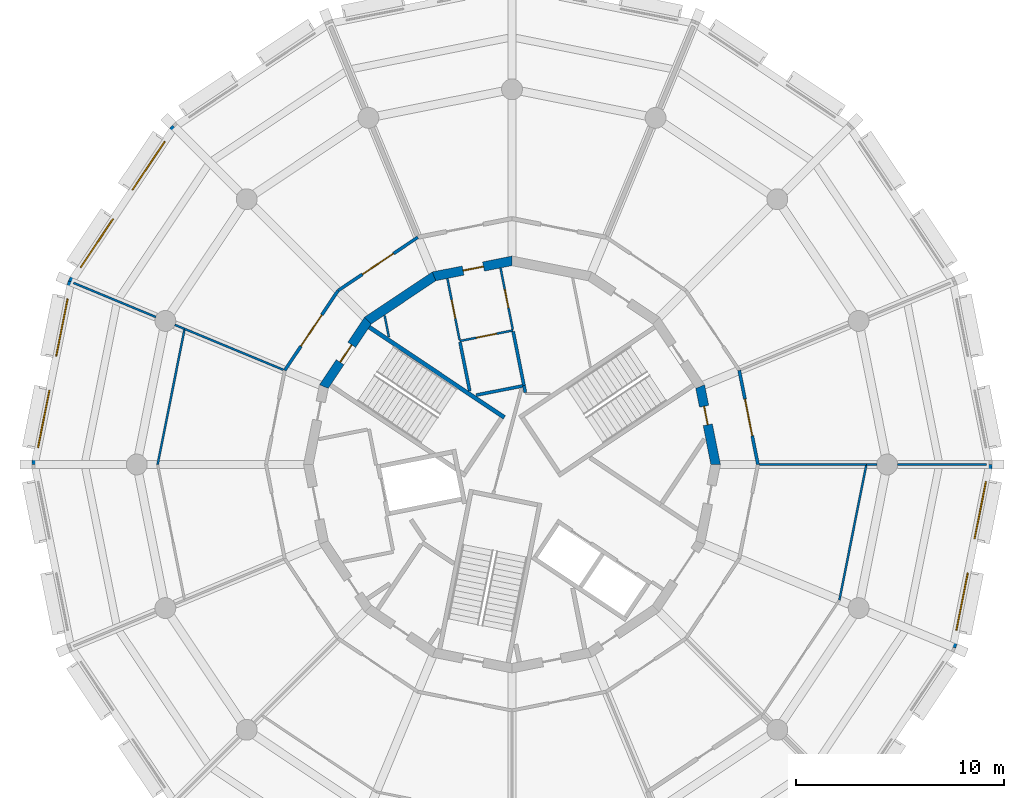
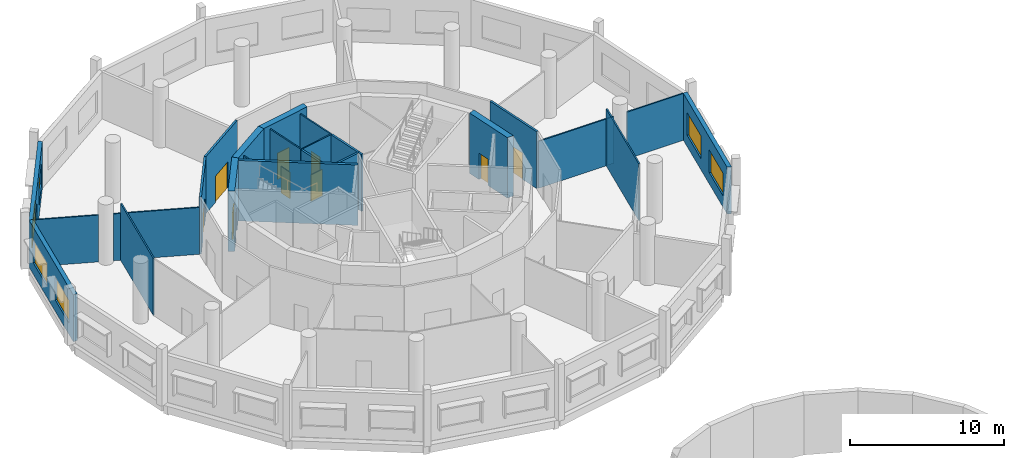
# One storey, part 5 of 8: 27 walls, 9 doors, 6 windows, 15 openings.
"""IFC4 building model written with IfcOpenShell, lengths in metres."""

from ifc_helpers import new_model, si_unit, direction, frame, frame_2d, origin, place, context, subcontext, project, spatial, polyline, rectangle, outline, extrude, material, layer, layer_set, type_object, element, fill, save


model = new_model("IFC4")

# Units and contexts
model_context = context("Model", 3, precision=1e-05, world=origin(), true_north=direction((0.0, 1.0)))
body_context = subcontext(model_context, "Body", "Model", "MODEL_VIEW")
ifc_project = project(units=[si_unit("LENGTHUNIT", "METRE"), si_unit("AREAUNIT", "SQUARE_METRE"), si_unit("VOLUMEUNIT", "CUBIC_METRE"), si_unit("PLANEANGLEUNIT", "RADIAN"), si_unit("MASSUNIT", "GRAM", prefix="KILO")], contexts=[model_context])

# Site, building, storey
site_placement = place(None, origin())
site = spatial("IfcSite", under=ifc_project, at=site_placement, CompositionType="ELEMENT")
building_placement = place(site_placement, origin())
building = spatial("IfcBuilding", under=site, at=building_placement, Name="Ceibo Conservatory and Research Tower", CompositionType="ELEMENT")
storey_placement = place(building_placement, frame((0.0, 0.0, 10.800048828125)))
storey = spatial("IfcBuildingStorey", under=building, at=storey_placement, Name="L02", CompositionType="ELEMENT", Elevation=10.800048828125)

# Wall, opening, door
ifc_material_1 = material(Name="Plasterboard on metal studs")
ifc_layer_1 = layer(ifc_material_1, 0.10009765625)
ifc_layer_set_1 = layer_set([ifc_layer_1], Name="Plasterboard on metal studs")
wall_type_1 = type_object("IfcWallType", Name="Core partition 100", PredefinedType="PARTITIONING", material=ifc_layer_set_1)
wall_1_placement = place(storey_placement, frame((48.0458984375, 126.4326171875, 0.0), z_axis=(0.0, 0.0, 1.0), x_axis=(-0.980778805994, -0.195122868248, 0.0)))
wall_1 = element("IfcWall", 1, at=wall_1_placement, inside=storey, type_object=wall_type_1, Name="Core partition 02.P008", PredefinedType="PARTITIONING", context=body_context, shape_type="SweptSolid", body=[
    extrude(rectangle(XDim=2.60009765625, YDim=0.10009765625, at=frame_2d((1.300048828125, 0.0))), origin(), (0.0, 0.0, 1.0), 4.52001953125),
])
opening_1_placement = place(wall_1_placement, frame((0.800048828125, 0.0, 0.0)))
opening_1 = element("IfcOpeningElement", 2, at=opening_1_placement, cuts=wall_1, Name="Opening C02-15", PredefinedType="OPENING", context=body_context, shape_type="SweptSolid", body=[
    extrude(rectangle(XDim=1.0, YDim=2.10009765625, at=frame_2d((0.5, 1.050048828125))), frame((0.0, 0.06005859375, 0.0), z_axis=(0.0, -1.0, 0.0), x_axis=(1.0, 0.0, 0.0)), (0.0, 0.0, 1.0), 0.1201171875),
])
ifc_material_2 = material(Name="Solid timber", Category="wood")
door_type_1 = type_object("IfcDoorType", Name="Door 1000x2100 (right hand)", OperationType="SINGLE_SWING_RIGHT", PredefinedType="DOOR", material=ifc_material_2)
door_1_placement = place(opening_1_placement, origin())
door_1 = element("IfcDoor", 3, at=door_1_placement, inside=storey, type_object=door_type_1, Name="Door Accessible WC 02.01", OperationType="SINGLE_SWING_RIGHT", OverallHeight=2.10009765625, OverallWidth=1.0, PredefinedType="DOOR", context=body_context, shape_type="SweptSolid", body=[
    extrude(rectangle(XDim=1.0, YDim=2.10009765625, at=frame_2d((0.5, 1.050048828125))), frame((0.0, 0.02490234375, 0.0), z_axis=(0.0, -1.0, 0.0), x_axis=(1.0, 0.0, 0.0)), (0.0, 0.0, 1.0), 0.050048828125),
])
fill(opening_1, door_1)

wall_2_placement = place(storey_placement, frame((45.486083984375, 125.974365234375, 0.0), z_axis=(0.0, 0.0, 1.0), x_axis=(-0.195054549846, 0.980792395252, 0.0)))
wall_2 = element("IfcWall", 4, at=wall_2_placement, inside=storey, type_object=wall_type_1, Name="Core partition 02.P009", PredefinedType="PARTITIONING", context=body_context, shape_type="SweptSolid", body=[
    extrude(rectangle(XDim=3.0078125, YDim=0.10009765625, at=frame_2d((1.50390625, 0.0))), origin(), (0.0, 0.0, 1.0), 4.52001953125),
])
opening_2_placement = place(wall_2_placement, frame((1.053955078125, 0.0, 0.0)))
opening_2 = element("IfcOpeningElement", 5, at=opening_2_placement, cuts=wall_2, Name="Opening C02-16", PredefinedType="OPENING", context=body_context, shape_type="SweptSolid", body=[
    extrude(rectangle(XDim=0.89990234375, YDim=2.10009765625, at=frame_2d((0.449951171875, 1.050048828125))), frame((0.0, 0.06005859375, 0.0), z_axis=(0.0, -1.0, 0.0), x_axis=(1.0, 0.0, 0.0)), (0.0, 0.0, 1.0), 0.1201171875),
])
door_type_2 = type_object("IfcDoorType", Name="Door 900x2100 (right hand)", OperationType="SINGLE_SWING_RIGHT", PredefinedType="DOOR", material=ifc_material_2)
door_2_placement = place(opening_2_placement, origin())
door_2 = element("IfcDoor", 6, at=door_2_placement, inside=storey, type_object=door_type_2, Name="Door Men WC 02.01", OperationType="SINGLE_SWING_RIGHT", OverallHeight=2.10009765625, OverallWidth=0.89990234375, PredefinedType="DOOR", context=body_context, shape_type="SweptSolid", body=[
    extrude(rectangle(XDim=0.89990234375, YDim=2.10009765625, at=frame_2d((0.449951171875, 1.050048828125))), frame((0.0, 0.02490234375, 0.0), z_axis=(0.0, -1.0, 0.0), x_axis=(1.0, 0.0, 0.0)), (0.0, 0.0, 1.0), 0.050048828125),
])
fill(opening_2, door_2)

wall_3_placement = place(storey_placement, frame((47.449462890625, 129.431640625, 0.0), z_axis=(0.0, 0.0, 1.0), x_axis=(0.195054549846, -0.980792395252, 0.0)))
wall_3 = element("IfcWall", 7, at=wall_3_placement, inside=storey, type_object=wall_type_1, Name="Core partition 02.P010", PredefinedType="PARTITIONING", context=body_context, shape_type="SweptSolid", body=[
    extrude(rectangle(XDim=3.0078125, YDim=0.10009765625, at=frame_2d((1.50390625, 0.0))), origin(), (0.0, 0.0, 1.0), 4.52001953125),
])
opening_3_placement = place(wall_3_placement, frame((1.053955078125, 0.0, 0.0)))
opening_3 = element("IfcOpeningElement", 8, at=opening_3_placement, cuts=wall_3, Name="Opening C02-17", PredefinedType="OPENING", context=body_context, shape_type="SweptSolid", body=[
    extrude(rectangle(XDim=0.89990234375, YDim=2.10009765625, at=frame_2d((0.449951171875, 1.050048828125))), frame((0.0, 0.06005859375, 0.0), z_axis=(0.0, -1.0, 0.0), x_axis=(1.0, 0.0, 0.0)), (0.0, 0.0, 1.0), 0.1201171875),
])
door_type_3 = type_object("IfcDoorType", Name="Door 900x2100 (left hand)", OperationType="SINGLE_SWING_LEFT", PredefinedType="DOOR", material=ifc_material_2)
door_3_placement = place(opening_3_placement, origin())
door_3 = element("IfcDoor", 9, at=door_3_placement, inside=storey, type_object=door_type_3, Name="Door Women WC 02.01", OperationType="SINGLE_SWING_LEFT", OverallHeight=2.10009765625, OverallWidth=0.89990234375, PredefinedType="DOOR", context=body_context, shape_type="SweptSolid", body=[
    extrude(rectangle(XDim=0.89990234375, YDim=2.10009765625, at=frame_2d((0.449951171875, 1.050048828125))), frame((0.0, 0.02490234375, 0.0), z_axis=(0.0, -1.0, 0.0), x_axis=(1.0, 0.0, 0.0)), (0.0, 0.0, 1.0), 0.050048828125),
])
fill(opening_3, door_3)

# Wall
wall_4_placement = place(storey_placement, frame((42.092529296875, 126.120361328125, 0.0), z_axis=(0.0, 0.0, 1.0), x_axis=(-0.195175461866, 0.980768341192, 0.0)))
element("IfcWall", 10, at=wall_4_placement, inside=storey, type_object=wall_type_1, Name="Core partition 02.P014", PredefinedType="PARTITIONING", context=body_context, shape_type="SweptSolid", body=[
    extrude(rectangle(XDim=1.04833984375, YDim=0.10009765625, at=frame_2d((0.524169921875, 0.0))), origin(), (0.0, 0.0, 1.0), 4.52001953125),
])

# Wall, opening, door
ifc_material_3 = material(Name="Concrete C40/50", Category="concrete")
ifc_layer_2 = layer(ifc_material_3, 0.449951171875)
ifc_layer_set_2 = layer_set([ifc_layer_2], Name="Concrete C40/50")
wall_type_2 = type_object("IfcWallType", Name="Core wall 450 C40", PredefinedType="SHEAR", material=ifc_layer_set_2)
wall_5_placement = place(storey_placement, frame((57.7705078125, 120.0, 0.0), z_axis=(0.0, 0.0, 1.0), x_axis=(-0.195069197673, 0.98078948206, 0.0)))
wall_5 = element("IfcWall", 11, at=wall_5_placement, inside=storey, type_object=wall_type_2, Name="Core wall L02 01", PredefinedType="SHEAR", context=body_context, shape_type="SweptSolid", body=[
    extrude(outline(polyline([(-0.044677734375, -0.22509765625), (3.85693359375, -0.22509765625), (3.767578125, 0.22509765625), (0.044677734375, 0.22509765625), (-0.044677734375, -0.22509765625)])), origin(), (0.0, 0.0, 1.0), 4.800048828125),
])
opening_4_placement = place(wall_5_placement, frame((1.944580078125, 0.0, 0.0)))
opening_4 = element("IfcOpeningElement", 12, at=opening_4_placement, cuts=wall_5, Name="Opening C02-04", PredefinedType="OPENING", context=body_context, shape_type="SweptSolid", body=[
    extrude(rectangle(XDim=0.89990234375, YDim=2.10009765625, at=frame_2d((0.449951171875, 1.050048828125))), frame((0.0, 0.23486328125, 0.0), z_axis=(0.0, -1.0, 0.0), x_axis=(1.0, 0.0, 0.0)), (0.0, 0.0, 1.0), 0.469970703125),
])
ifc_material_4 = material(Name="Galvanised sheet steel DX51D", Category="steel")
door_type_4 = type_object("IfcDoorType", Name="Riser door 900x2100 EI 60 (left hand)", OperationType="SINGLE_SWING_LEFT", PredefinedType="DOOR", material=ifc_material_4)
door_4_placement = place(opening_4_placement, origin())
door_4 = element("IfcDoor", 13, at=door_4_placement, inside=storey, type_object=door_type_4, Name="Store door 02", OperationType="SINGLE_SWING_LEFT", OverallHeight=2.10009765625, OverallWidth=0.89990234375, PredefinedType="DOOR", context=body_context, shape_type="SweptSolid", body=[
    extrude(rectangle(XDim=0.89990234375, YDim=2.10009765625, at=frame_2d((0.449951171875, 1.050048828125))), frame((0.0, 0.02490234375, 0.0), z_axis=(0.0, -1.0, 0.0), x_axis=(1.0, 0.0, 0.0)), (0.0, 0.0, 1.0), 0.050048828125),
])
fill(opening_4, door_4)

wall_6_placement = place(storey_placement, frame((48.0, 129.7705078125, 0.0), z_axis=(0.0, 0.0, 1.0), x_axis=(-0.98078948206, -0.195069197673, 0.0)))
wall_6 = element("IfcWall", 14, at=wall_6_placement, inside=storey, type_object=wall_type_2, Name="Core wall L02 05", PredefinedType="SHEAR", context=body_context, shape_type="SweptSolid", body=[
    extrude(outline(polyline([(-0.044677734375, -0.22509765625), (3.85693359375, -0.22509765625), (3.767578125, 0.22509765625), (0.044677734375, 0.22509765625), (-0.044677734375, -0.22509765625)])), origin(), (0.0, 0.0, 1.0), 4.800048828125),
])
opening_5_placement = place(wall_6_placement, frame((1.394775390625, 0.0, 0.0)))
opening_5 = element("IfcOpeningElement", 15, at=opening_5_placement, cuts=wall_6, Name="Opening C02-07", PredefinedType="OPENING", context=body_context, shape_type="SweptSolid", body=[
    extrude(rectangle(XDim=1.0, YDim=2.10009765625, at=frame_2d((0.5, 1.050048828125))), frame((0.0, 0.23486328125, 0.0), z_axis=(0.0, -1.0, 0.0), x_axis=(1.0, 0.0, 0.0)), (0.0, 0.0, 1.0), 0.469970703125),
])
door_type_5 = type_object("IfcDoorType", Name="Lobby door 1000x2100 EI 60 (left hand)", OperationType="SINGLE_SWING_LEFT", PredefinedType="DOOR", material=ifc_material_4)
door_5_placement = place(opening_5_placement, frame((1.0, 0.0, 0.0), z_axis=(0.0, 0.0, 1.0), x_axis=(-1.0, 0.0, 0.0)))
door_5 = element("IfcDoor", 16, at=door_5_placement, inside=storey, type_object=door_type_5, Name="WC Lobby door 02", OperationType="SINGLE_SWING_LEFT", OverallHeight=2.10009765625, OverallWidth=1.0, PredefinedType="DOOR", context=body_context, shape_type="SweptSolid", body=[
    extrude(rectangle(XDim=1.0, YDim=2.10009765625, at=frame_2d((0.5, 1.050048828125))), frame((0.0, 0.02490234375, 0.0), z_axis=(0.0, -1.0, 0.0), x_axis=(1.0, 0.0, 0.0)), (0.0, 0.0, 1.0), 0.050048828125),
])
fill(opening_5, door_5)

# Wall
wall_7_placement = place(storey_placement, frame((44.260986328125, 129.02685546875, 0.0), z_axis=(0.0, 0.0, 1.0), x_axis=(-0.83148829117, -0.555542277102, 0.0)))
element("IfcWall", 17, at=wall_7_placement, inside=storey, type_object=wall_type_2, Name="Core wall L02 06", PredefinedType="SHEAR", context=body_context, shape_type="SweptSolid", body=[
    extrude(outline(polyline([(-0.044677734375, -0.22509765625), (3.85693359375, -0.22509765625), (3.767578125, 0.22509765625), (0.044677734375, 0.22509765625), (-0.044677734375, -0.22509765625)])), origin(), (0.0, 0.0, 1.0), 4.800048828125),
])

# Wall, opening, door
wall_8_placement = place(storey_placement, frame((41.091064453125, 126.908935546875, 0.0), z_axis=(0.0, 0.0, 1.0), x_axis=(-0.555542277102, -0.83148829117, 0.0)))
wall_8 = element("IfcWall", 18, at=wall_8_placement, inside=storey, type_object=wall_type_2, Name="Core wall L02 07", PredefinedType="SHEAR", context=body_context, shape_type="SweptSolid", body=[
    extrude(outline(polyline([(-0.044677734375, -0.22509765625), (3.85693359375, -0.22509765625), (3.767578125, 0.22509765625), (0.044677734375, 0.22509765625), (-0.044677734375, -0.22509765625)])), origin(), (0.0, 0.0, 1.0), 4.800048828125),
])
opening_6_placement = place(wall_8_placement, frame((1.40625, 0.0, 0.0)))
opening_6 = element("IfcOpeningElement", 19, at=opening_6_placement, cuts=wall_8, Name="Opening C02-02", PredefinedType="OPENING", context=body_context, shape_type="SweptSolid", body=[
    extrude(rectangle(XDim=1.0, YDim=2.10009765625, at=frame_2d((0.5, 1.050048828125))), frame((0.0, 0.23486328125, 0.0), z_axis=(0.0, -1.0, 0.0), x_axis=(1.0, 0.0, 0.0)), (0.0, 0.0, 1.0), 0.469970703125),
])
door_type_6 = type_object("IfcDoorType", Name="Stair door 1000x2100 EI 120 (right hand)", OperationType="SINGLE_SWING_RIGHT", PredefinedType="DOOR", material=ifc_material_4)
door_6_placement = place(opening_6_placement, origin())
door_6 = element("IfcDoor", 20, at=door_6_placement, inside=storey, type_object=door_type_6, Name="Stair door ST2 02", OperationType="SINGLE_SWING_RIGHT", OverallHeight=2.10009765625, OverallWidth=1.0, PredefinedType="DOOR", context=body_context, shape_type="SweptSolid", body=[
    extrude(rectangle(XDim=1.0, YDim=2.10009765625, at=frame_2d((0.5, 1.050048828125))), frame((0.0, 0.02490234375, 0.0), z_axis=(0.0, -1.0, 0.0), x_axis=(1.0, 0.0, 0.0)), (0.0, 0.0, 1.0), 0.050048828125),
])
fill(opening_6, door_6)

# Walls
ifc_material_5 = material(Name="Plasterboard on metal studs, fire board")
ifc_layer_3 = layer(ifc_material_5, 0.14990234375)
ifc_layer_set_3 = layer_set([ifc_layer_3], Name="Plasterboard on metal studs, fire board")
wall_type_3 = type_object("IfcWallType", Name="Corridor wall 150 EI 60", PredefinedType="PARTITIONING", material=ifc_layer_set_3)
wall_9_placement = place(storey_placement, frame((48.0556640625, 126.383544921875, 0.0), z_axis=(0.0, 0.0, 1.0), x_axis=(0.195123903338, -0.980778600065, 0.0)))
element("IfcWall", 21, at=wall_9_placement, inside=storey, type_object=wall_type_3, Name="Core partition 02.P011", PredefinedType="PARTITIONING", context=body_context, shape_type="SweptSolid", body=[
    extrude(rectangle(XDim=2.650146484375, YDim=0.14990234375, at=frame_2d((1.3251953125, 0.0))), origin(), (0.0, 0.0, 1.0), 4.52001953125),
])
wall_10_placement = place(storey_placement, frame((48.523681640625, 123.774658203125, 0.0), z_axis=(0.0, 0.0, 1.0), x_axis=(-0.980777249161, -0.195130693455, 0.0)))
element("IfcWall", 22, at=wall_10_placement, inside=storey, type_object=wall_type_3, Name="Core partition 02.P012", PredefinedType="PARTITIONING", context=body_context, shape_type="SweptSolid", body=[
    extrude(rectangle(XDim=2.287109375, YDim=0.14990234375, at=frame_2d((1.1435546875, 0.0))), origin(), (0.0, 0.0, 1.0), 4.52001953125),
])
wall_11_placement = place(storey_placement, frame((45.972900390625, 123.527587890625, 0.0), z_axis=(0.0, 0.0, 1.0), x_axis=(-0.195135731435, 0.980776246815, 0.0)))
element("IfcWall", 23, at=wall_11_placement, inside=storey, type_object=wall_type_3, Name="Core partition 02.P013", PredefinedType="PARTITIONING", context=body_context, shape_type="SweptSolid", body=[
    extrude(rectangle(XDim=2.394775390625, YDim=0.14990234375, at=frame_2d((1.197265625, 0.0))), origin(), (0.0, 0.0, 1.0), 4.52001953125),
])
wall_12_placement = place(storey_placement, frame((48.639404296875, 123.448974609375, 0.0), z_axis=(0.0, 0.0, 1.0), x_axis=(-0.194880473507, 0.98082699853, 0.0)))
element("IfcWall", 24, at=wall_12_placement, inside=storey, type_object=wall_type_3, Name="Core partition 02.P017", PredefinedType="PARTITIONING", context=body_context, shape_type="SweptSolid", body=[
    extrude(rectangle(XDim=0.342041015625, YDim=0.14990234375, at=frame_2d((0.1708984375, 0.0))), origin(), (0.0, 0.0, 1.0), 4.52001953125),
])

# Wall, opening, door
wall_13_placement = place(storey_placement, frame((58.90185546875, 124.515625, 0.0), z_axis=(0.0, 0.0, 1.0), x_axis=(0.19508608079, -0.980786124026, 0.0)))
wall_13 = element("IfcWall", 25, at=wall_13_placement, inside=storey, type_object=wall_type_3, Name="Partition 02.001", PredefinedType="PARTITIONING", context=body_context, shape_type="SweptSolid", body=[
    extrude(rectangle(XDim=4.60400390625, YDim=0.14990234375, at=frame_2d((2.302001953125, 0.0))), origin(), (0.0, 0.0, 1.0), 4.52001953125),
])
opening_7_placement = place(wall_13_placement, frame((1.402099609375, 0.0, 0.0)))
opening_7 = element("IfcOpeningElement", 26, at=opening_7_placement, cuts=wall_13, Name="Opening T02-14", PredefinedType="OPENING", context=body_context, shape_type="SweptSolid", body=[
    extrude(rectangle(XDim=1.800048828125, YDim=2.10009765625, at=frame_2d((0.89990234375, 1.050048828125))), frame((0.0, 0.0849609375, 0.0), z_axis=(0.0, -1.0, 0.0), x_axis=(1.0, 0.0, 0.0)), (0.0, 0.0, 1.0), 0.169921875),
])
door_type_7 = type_object("IfcDoorType", Name="Door plant double 1800x2100 EI 120", OperationType="DOUBLE_DOOR_SINGLE_SWING", PredefinedType="DOOR", material=ifc_material_4)
door_7_placement = place(opening_7_placement, origin())
door_7 = element("IfcDoor", 27, at=door_7_placement, inside=storey, type_object=door_type_7, Name="Door T02-14", OperationType="DOUBLE_DOOR_SINGLE_SWING", OverallHeight=2.10009765625, OverallWidth=1.800048828125, PredefinedType="DOOR", context=body_context, shape_type="SweptSolid", body=[
    extrude(rectangle(XDim=1.800048828125, YDim=2.10009765625, at=frame_2d((0.89990234375, 1.050048828125))), frame((0.0, 0.02490234375, 0.0), z_axis=(0.0, -1.0, 0.0), x_axis=(1.0, 0.0, 0.0)), (0.0, 0.0, 1.0), 0.050048828125),
])
fill(opening_7, door_7)

wall_14_placement = place(storey_placement, frame((37.09814453125, 124.515625, 0.0), z_axis=(0.0, 0.0, 1.0), x_axis=(0.555544233776, 0.831486983854, 0.0)))
wall_14 = element("IfcWall", 28, at=wall_14_placement, inside=storey, type_object=wall_type_3, Name="Partition 02.007", PredefinedType="PARTITIONING", context=body_context, shape_type="SweptSolid", body=[
    extrude(rectangle(XDim=4.604248046875, YDim=0.14990234375, at=frame_2d((2.30224609375, 0.0))), origin(), (0.0, 0.0, 1.0), 4.52001953125),
])
opening_8_placement = place(wall_14_placement, frame((1.402099609375, 0.0, 0.0)))
opening_8 = element("IfcOpeningElement", 29, at=opening_8_placement, cuts=wall_14, Name="Opening T02-20", PredefinedType="OPENING", context=body_context, shape_type="SweptSolid", body=[
    extrude(rectangle(XDim=1.800048828125, YDim=2.10009765625, at=frame_2d((0.89990234375, 1.050048828125))), frame((0.0, 0.0849609375, 0.0), z_axis=(0.0, -1.0, 0.0), x_axis=(1.0, 0.0, 0.0)), (0.0, 0.0, 1.0), 0.169921875),
])
door_type_8 = type_object("IfcDoorType", Name="Door fire double 1800x2100 EI 60", OperationType="DOUBLE_DOOR_SINGLE_SWING", PredefinedType="DOOR", material=ifc_material_4)
door_8_placement = place(opening_8_placement, origin())
door_8 = element("IfcDoor", 30, at=door_8_placement, inside=storey, type_object=door_type_8, Name="Door T02-20", OperationType="DOUBLE_DOOR_SINGLE_SWING", OverallHeight=2.10009765625, OverallWidth=1.800048828125, PredefinedType="DOOR", context=body_context, shape_type="SweptSolid", body=[
    extrude(rectangle(XDim=1.800048828125, YDim=2.10009765625, at=frame_2d((0.89990234375, 1.050048828125))), frame((0.0, 0.02490234375, 0.0), z_axis=(0.0, -1.0, 0.0), x_axis=(1.0, 0.0, 0.0)), (0.0, 0.0, 1.0), 0.050048828125),
])
fill(opening_8, door_8)

wall_15_placement = place(storey_placement, frame((39.656005859375, 128.343994140625, 0.0), z_axis=(0.0, 0.0, 1.0), x_axis=(0.831486983854, 0.555544233776, 0.0)))
wall_15 = element("IfcWall", 31, at=wall_15_placement, inside=storey, type_object=wall_type_3, Name="Partition 02.008", PredefinedType="PARTITIONING", context=body_context, shape_type="SweptSolid", body=[
    extrude(rectangle(XDim=4.604248046875, YDim=0.14990234375, at=frame_2d((2.30224609375, 0.0))), origin(), (0.0, 0.0, 1.0), 4.52001953125),
])
opening_9_placement = place(wall_15_placement, frame((1.402099609375, 0.0, 0.0)))
opening_9 = element("IfcOpeningElement", 32, at=opening_9_placement, cuts=wall_15, Name="Opening T02-19", PredefinedType="OPENING", context=body_context, shape_type="SweptSolid", body=[
    extrude(rectangle(XDim=1.800048828125, YDim=2.10009765625, at=frame_2d((0.89990234375, 1.050048828125))), frame((0.0, 0.0849609375, 0.0), z_axis=(0.0, -1.0, 0.0), x_axis=(1.0, 0.0, 0.0)), (0.0, 0.0, 1.0), 0.169921875),
])
door_9_placement = place(opening_9_placement, origin())
door_9 = element("IfcDoor", 33, at=door_9_placement, inside=storey, type_object=door_type_8, Name="Door T02-19", OperationType="DOUBLE_DOOR_SINGLE_SWING", OverallHeight=2.10009765625, OverallWidth=1.800048828125, PredefinedType="DOOR", context=body_context, shape_type="SweptSolid", body=[
    extrude(rectangle(XDim=1.800048828125, YDim=2.10009765625, at=frame_2d((0.89990234375, 1.050048828125))), frame((0.0, 0.02490234375, 0.0), z_axis=(0.0, -1.0, 0.0), x_axis=(1.0, 0.0, 0.0)), (0.0, 0.0, 1.0), 0.050048828125),
])
fill(opening_9, door_9)

# Wall, openings, windows
ifc_material_6 = material(Name="Ceramic mosaic tessera")
ifc_layer_4 = layer(ifc_material_6, 0.010009765625, Name="Ceramic mosaic")
ifc_material_7 = material(Name="Polymer-modified bedding mortar")
ifc_layer_5 = layer(ifc_material_7, 0.014892578125, Name="Bedding mortar")
ifc_material_8 = material(Name="Mineral wool insulation")
ifc_layer_6 = layer(ifc_material_8, 0.050048828125, Name="Insulation")
ifc_material_9 = material(Name="Concrete C30/37", Category="concrete")
ifc_layer_7 = layer(ifc_material_9, 0.215087890625, Name="Reinforced concrete leaf")
ifc_material_10 = material(Name="Gypsum plaster")
ifc_layer_8 = layer(ifc_material_10, 0.010009765625, Name="Internal plaster")
ifc_layer_set_4 = layer_set([ifc_layer_4, ifc_layer_5, ifc_layer_6, ifc_layer_7, ifc_layer_8], Name="Concrete C30/37")
wall_type_4 = type_object("IfcWallType", Name="Facade panel wall 300", PredefinedType="SOLIDWALL", material=ifc_layer_set_4)
wall_16_placement = place(storey_placement, frame((31.807373046875, 136.192626953125, 0.0), z_axis=(0.0, 0.0, 1.0), x_axis=(-0.555576354317, -0.83146552215, 0.0)))
wall_16 = element("IfcWall", 34, at=wall_16_placement, inside=storey, type_object=wall_type_4, Name="Facade wall L02 facet 7", PredefinedType="SOLIDWALL", context=body_context, shape_type="SweptSolid", body=[
    extrude(outline(polyline([(-0.02978515625, -0.14990234375), (8.96484375, -0.14990234375), (8.9052734375, 0.14990234375), (0.02978515625, 0.14990234375), (-0.02978515625, -0.14990234375)])), origin(), (0.0, 0.0, 1.0), 3.719970703125),
])
opening_10_placement = place(wall_16_placement, frame((0.833740234375, 0.0, 0.89990234375)))
opening_10 = element("IfcOpeningElement", 35, at=opening_10_placement, cuts=wall_16, Name="Opening PW2", PredefinedType="OPENING", context=body_context, shape_type="SweptSolid", body=[
    extrude(rectangle(XDim=2.800048828125, YDim=1.800048828125, at=frame_2d((1.39990234375, 0.89990234375))), frame((0.0, 0.159912109375, 0.0), z_axis=(0.0, -1.0, 0.0), x_axis=(1.0, 0.0, 0.0)), (0.0, 0.0, 1.0), 0.320068359375),
])
opening_11_placement = place(wall_16_placement, frame((5.301513671875, 0.0, 0.89990234375)))
opening_11 = element("IfcOpeningElement", 36, at=opening_11_placement, cuts=wall_16, Name="Opening PW2", PredefinedType="OPENING", context=body_context, shape_type="SweptSolid", body=[
    extrude(rectangle(XDim=2.800048828125, YDim=1.800048828125, at=frame_2d((1.39990234375, 0.89990234375))), frame((0.0, 0.159912109375, 0.0), z_axis=(0.0, -1.0, 0.0), x_axis=(1.0, 0.0, 0.0)), (0.0, 0.0, 1.0), 0.320068359375),
])
ifc_material_11 = material(Name="Aluminium frame with double glazing", Category="aluminium")
window_type = type_object("IfcWindowType", Name="Punched window PW1 2800 x 1800", PartitioningType="DOUBLE_PANEL_VERTICAL", PredefinedType="WINDOW", material=ifc_material_11)
window_1_placement = place(opening_10_placement, origin())
window_1 = element("IfcWindow", 37, at=window_1_placement, inside=storey, type_object=window_type, Name="T.L02.F06.WIN.1", OverallHeight=1.800048828125, OverallWidth=2.800048828125, PartitioningType="DOUBLE_PANEL_VERTICAL", PredefinedType="WINDOW", context=body_context, shape_type="SweptSolid", body=[
    extrude(rectangle(XDim=2.800048828125, YDim=1.800048828125, at=frame_2d((1.39990234375, 0.89990234375))), frame((0.0, 0.030029296875, 0.0), z_axis=(0.0, -1.0, 0.0), x_axis=(1.0, 0.0, 0.0)), (0.0, 0.0, 1.0), 0.06005859375),
])
fill(opening_10, window_1)
window_2_placement = place(opening_11_placement, origin())
window_2 = element("IfcWindow", 38, at=window_2_placement, inside=storey, type_object=window_type, Name="T.L02.F06.WIN.2", OverallHeight=1.800048828125, OverallWidth=2.800048828125, PartitioningType="DOUBLE_PANEL_VERTICAL", PredefinedType="WINDOW", context=body_context, shape_type="SweptSolid", body=[
    extrude(rectangle(XDim=2.800048828125, YDim=1.800048828125, at=frame_2d((1.39990234375, 0.89990234375))), frame((0.0, 0.030029296875, 0.0), z_axis=(0.0, -1.0, 0.0), x_axis=(1.0, 0.0, 0.0)), (0.0, 0.0, 1.0), 0.06005859375),
])
fill(opening_11, window_2)

wall_17_placement = place(storey_placement, frame((26.84326171875, 128.763427734375, 0.0), z_axis=(0.0, 0.0, 1.0), x_axis=(-0.195091388425, -0.980785068281, 0.0)))
wall_17 = element("IfcWall", 39, at=wall_17_placement, inside=storey, type_object=wall_type_4, Name="Facade wall L02 facet 8", PredefinedType="SOLIDWALL", context=body_context, shape_type="SweptSolid", body=[
    extrude(outline(polyline([(-0.02978515625, -0.14990234375), (8.96484375, -0.14990234375), (8.9052734375, 0.14990234375), (0.02978515625, 0.14990234375), (-0.02978515625, -0.14990234375)])), origin(), (0.0, 0.0, 1.0), 3.719970703125),
])
opening_12_placement = place(wall_17_placement, frame((0.833740234375, 0.0, 0.89990234375)))
opening_12 = element("IfcOpeningElement", 40, at=opening_12_placement, cuts=wall_17, Name="Opening PW2", PredefinedType="OPENING", context=body_context, shape_type="SweptSolid", body=[
    extrude(rectangle(XDim=2.800048828125, YDim=1.800048828125, at=frame_2d((1.39990234375, 0.89990234375))), frame((0.0, 0.159912109375, 0.0), z_axis=(0.0, -1.0, 0.0), x_axis=(1.0, 0.0, 0.0)), (0.0, 0.0, 1.0), 0.320068359375),
])
opening_13_placement = place(wall_17_placement, frame((5.301513671875, 0.0, 0.89990234375)))
opening_13 = element("IfcOpeningElement", 41, at=opening_13_placement, cuts=wall_17, Name="Opening PW2", PredefinedType="OPENING", context=body_context, shape_type="SweptSolid", body=[
    extrude(rectangle(XDim=2.800048828125, YDim=1.800048828125, at=frame_2d((1.39990234375, 0.89990234375))), frame((0.0, 0.159912109375, 0.0), z_axis=(0.0, -1.0, 0.0), x_axis=(1.0, 0.0, 0.0)), (0.0, 0.0, 1.0), 0.320068359375),
])
window_3_placement = place(opening_12_placement, origin())
window_3 = element("IfcWindow", 42, at=window_3_placement, inside=storey, type_object=window_type, Name="T.L02.F07.WIN.1", OverallHeight=1.800048828125, OverallWidth=2.800048828125, PartitioningType="DOUBLE_PANEL_VERTICAL", PredefinedType="WINDOW", context=body_context, shape_type="SweptSolid", body=[
    extrude(rectangle(XDim=2.800048828125, YDim=1.800048828125, at=frame_2d((1.39990234375, 0.89990234375))), frame((0.0, 0.030029296875, 0.0), z_axis=(0.0, -1.0, 0.0), x_axis=(1.0, 0.0, 0.0)), (0.0, 0.0, 1.0), 0.06005859375),
])
fill(opening_12, window_3)
window_4_placement = place(opening_13_placement, origin())
window_4 = element("IfcWindow", 43, at=window_4_placement, inside=storey, type_object=window_type, Name="T.L02.F07.WIN.2", OverallHeight=1.800048828125, OverallWidth=2.800048828125, PartitioningType="DOUBLE_PANEL_VERTICAL", PredefinedType="WINDOW", context=body_context, shape_type="SweptSolid", body=[
    extrude(rectangle(XDim=2.800048828125, YDim=1.800048828125, at=frame_2d((1.39990234375, 0.89990234375))), frame((0.0, 0.030029296875, 0.0), z_axis=(0.0, -1.0, 0.0), x_axis=(1.0, 0.0, 0.0)), (0.0, 0.0, 1.0), 0.06005859375),
])
fill(opening_13, window_4)

wall_18_placement = place(storey_placement, frame((69.15673828125, 111.236572265625, 0.0), z_axis=(0.0, 0.0, 1.0), x_axis=(0.195091388425, 0.980785068281, 0.0)))
wall_18 = element("IfcWall", 44, at=wall_18_placement, inside=storey, type_object=wall_type_4, Name="Facade wall L02 facet 16", PredefinedType="SOLIDWALL", context=body_context, shape_type="SweptSolid", body=[
    extrude(outline(polyline([(-0.02978515625, -0.14990234375), (8.96484375, -0.14990234375), (8.9052734375, 0.14990234375), (0.02978515625, 0.14990234375), (-0.02978515625, -0.14990234375)])), origin(), (0.0, 0.0, 1.0), 3.719970703125),
])
opening_14_placement = place(wall_18_placement, frame((0.833740234375, 0.0, 0.89990234375)))
opening_14 = element("IfcOpeningElement", 45, at=opening_14_placement, cuts=wall_18, Name="Opening PW2", PredefinedType="OPENING", context=body_context, shape_type="SweptSolid", body=[
    extrude(rectangle(XDim=2.800048828125, YDim=1.800048828125, at=frame_2d((1.39990234375, 0.89990234375))), frame((0.0, 0.159912109375, 0.0), z_axis=(0.0, -1.0, 0.0), x_axis=(1.0, 0.0, 0.0)), (0.0, 0.0, 1.0), 0.320068359375),
])
opening_15_placement = place(wall_18_placement, frame((5.301513671875, 0.0, 0.89990234375)))
opening_15 = element("IfcOpeningElement", 46, at=opening_15_placement, cuts=wall_18, Name="Opening PW2", PredefinedType="OPENING", context=body_context, shape_type="SweptSolid", body=[
    extrude(rectangle(XDim=2.800048828125, YDim=1.800048828125, at=frame_2d((1.39990234375, 0.89990234375))), frame((0.0, 0.159912109375, 0.0), z_axis=(0.0, -1.0, 0.0), x_axis=(1.0, 0.0, 0.0)), (0.0, 0.0, 1.0), 0.320068359375),
])
window_5_placement = place(opening_14_placement, origin())
window_5 = element("IfcWindow", 47, at=window_5_placement, inside=storey, type_object=window_type, Name="T.L02.F15.WIN.1", OverallHeight=1.800048828125, OverallWidth=2.800048828125, PartitioningType="DOUBLE_PANEL_VERTICAL", PredefinedType="WINDOW", context=body_context, shape_type="SweptSolid", body=[
    extrude(rectangle(XDim=2.800048828125, YDim=1.800048828125, at=frame_2d((1.39990234375, 0.89990234375))), frame((0.0, 0.030029296875, 0.0), z_axis=(0.0, -1.0, 0.0), x_axis=(1.0, 0.0, 0.0)), (0.0, 0.0, 1.0), 0.06005859375),
])
fill(opening_14, window_5)
window_6_placement = place(opening_15_placement, origin())
window_6 = element("IfcWindow", 48, at=window_6_placement, inside=storey, type_object=window_type, Name="T.L02.F15.WIN.2", OverallHeight=1.800048828125, OverallWidth=2.800048828125, PartitioningType="DOUBLE_PANEL_VERTICAL", PredefinedType="WINDOW", context=body_context, shape_type="SweptSolid", body=[
    extrude(rectangle(XDim=2.800048828125, YDim=1.800048828125, at=frame_2d((1.39990234375, 0.89990234375))), frame((0.0, 0.030029296875, 0.0), z_axis=(0.0, -1.0, 0.0), x_axis=(1.0, 0.0, 0.0)), (0.0, 0.0, 1.0), 0.06005859375),
])
fill(opening_15, window_6)

# Walls
ifc_layer_9 = layer(ifc_material_1, 0.10009765625)
ifc_layer_set_5 = layer_set([ifc_layer_9], Name="Plasterboard on metal studs")
wall_type_5 = type_object("IfcWallType", Name="Partition 100", PredefinedType="PARTITIONING", material=ifc_layer_set_5)
wall_19_placement = place(storey_placement, frame((31.0, 120.0, 0.0), z_axis=(0.0, 0.0, 1.0), x_axis=(0.195068250166, 0.980789670509, 0.0)))
element("IfcWall", 49, at=wall_19_placement, inside=storey, type_object=wall_type_5, Name="Partition 02.018", PredefinedType="PARTITIONING", context=body_context, shape_type="SweptSolid", body=[
    extrude(rectangle(XDim=6.5869140625, YDim=0.10009765625, at=frame_2d((3.29345703125, 0.0))), origin(), (0.0, 0.0, 1.0), 4.52001953125),
])
wall_20_placement = place(storey_placement, frame((32.294189453125, 126.505615234375, 0.0), z_axis=(0.0, 0.0, 1.0), x_axis=(0.923873517093, -0.382697954548, 0.0)))
element("IfcWall", 50, at=wall_20_placement, inside=storey, type_object=wall_type_5, Name="Partition 02.020", PredefinedType="PARTITIONING", context=body_context, shape_type="SweptSolid", body=[
    extrude(rectangle(XDim=5.12841796875, YDim=0.10009765625, at=frame_2d((2.564208984375, 0.0))), origin(), (0.0, 0.0, 1.0), 3.719970703125),
])
wall_21_placement = place(storey_placement, frame((26.966064453125, 128.712646484375, 0.0), z_axis=(0.0, 0.0, 1.0), x_axis=(0.923860288639, -0.382729887879, 0.0)))
element("IfcWall", 51, at=wall_21_placement, inside=storey, type_object=wall_type_5, Name="Partition 02.023", PredefinedType="PARTITIONING", context=body_context, shape_type="SweptSolid", body=[
    extrude(rectangle(XDim=4.277099609375, YDim=0.10009765625, at=frame_2d((2.138671875, 0.0))), origin(), (0.0, 0.0, 1.0), 3.719970703125),
])
wall_22_placement = place(storey_placement, frame((31.82275390625, 126.70068359375, 0.0), z_axis=(0.0, 0.0, 1.0), x_axis=(0.923952664473, -0.382506828453, 0.0)))
element("IfcWall", 52, at=wall_22_placement, inside=storey, type_object=wall_type_5, Name="Partition 02.024", PredefinedType="PARTITIONING", context=body_context, shape_type="SweptSolid", body=[
    extrude(rectangle(XDim=0.510009765625, YDim=0.10009765625, at=frame_2d((0.2548828125, 0.0))), origin(), (0.0, 0.0, 1.0), 3.719970703125),
])
wall_23_placement = place(storey_placement, frame((64.990966796875, 119.954833984375, 0.0), z_axis=(0.0, 0.0, 1.0), x_axis=(-0.195068250166, -0.980789670509, 0.0)))
element("IfcWall", 53, at=wall_23_placement, inside=storey, type_object=wall_type_5, Name="Partition 02.040", PredefinedType="PARTITIONING", context=body_context, shape_type="SweptSolid", body=[
    extrude(rectangle(XDim=6.5869140625, YDim=0.10009765625, at=frame_2d((3.29345703125, 0.0))), origin(), (0.0, 0.0, 1.0), 4.52001953125),
])
wall_24_placement = place(storey_placement, frame((59.87158203125, 120.0, 0.0), z_axis=(0.0, 0.0, 1.0), x_axis=(1.0, 0.0, 0.0)))
element("IfcWall", 54, at=wall_24_placement, inside=storey, type_object=wall_type_5, Name="Partition 02.042", PredefinedType="PARTITIONING", context=body_context, shape_type="SweptSolid", body=[
    extrude(rectangle(XDim=5.12841796875, YDim=0.10009765625, at=frame_2d((2.564208984375, 0.0))), origin(), (0.0, 0.0, 1.0), 3.719970703125),
])
wall_25_placement = place(storey_placement, frame((65.0, 120.0, 0.0), z_axis=(0.0, 0.0, 1.0), x_axis=(1.0, 0.0, 0.0)))
element("IfcWall", 55, at=wall_25_placement, inside=storey, type_object=wall_type_5, Name="Partition 02.043", PredefinedType="PARTITIONING", context=body_context, shape_type="SweptSolid", body=[
    extrude(rectangle(XDim=0.510009765625, YDim=0.10009765625, at=frame_2d((0.2548828125, 0.0))), origin(), (0.0, 0.0, 1.0), 3.719970703125),
])
wall_26_placement = place(storey_placement, frame((66.489990234375, 120.0, 0.0), z_axis=(0.0, 0.0, 1.0), x_axis=(1.0, 0.0, 0.0)))
element("IfcWall", 56, at=wall_26_placement, inside=storey, type_object=wall_type_5, Name="Partition 02.044", PredefinedType="PARTITIONING", context=body_context, shape_type="SweptSolid", body=[
    extrude(rectangle(XDim=4.277099609375, YDim=0.10009765625, at=frame_2d((2.138671875, 0.0))), origin(), (0.0, 0.0, 1.0), 3.719970703125),
])
ifc_layer_10 = layer(ifc_material_3, 0.199951171875)
ifc_layer_set_6 = layer_set([ifc_layer_10], Name="Concrete C40/50")
wall_type_6 = type_object("IfcWallType", Name="Stair wall 200 C40", PredefinedType="SHEAR", material=ifc_layer_set_6)
wall_27_placement = place(storey_placement, frame((47.63525390625, 122.25830078125, 0.0), z_axis=(0.0, 0.0, 1.0), x_axis=(-0.831476803301, 0.555559470779, 0.0)))
element("IfcWall", 57, at=wall_27_placement, inside=storey, type_object=wall_type_6, Name="Stair wall ST2.W2 L02", PredefinedType="SHEAR", context=body_context, shape_type="SweptSolid", body=[
    extrude(rectangle(XDim=7.7998046875, YDim=0.199951171875, at=frame_2d((3.89990234375, 0.0))), origin(), (0.0, 0.0, 1.0), 4.800048828125),
])

save(model, "model.ifc")
